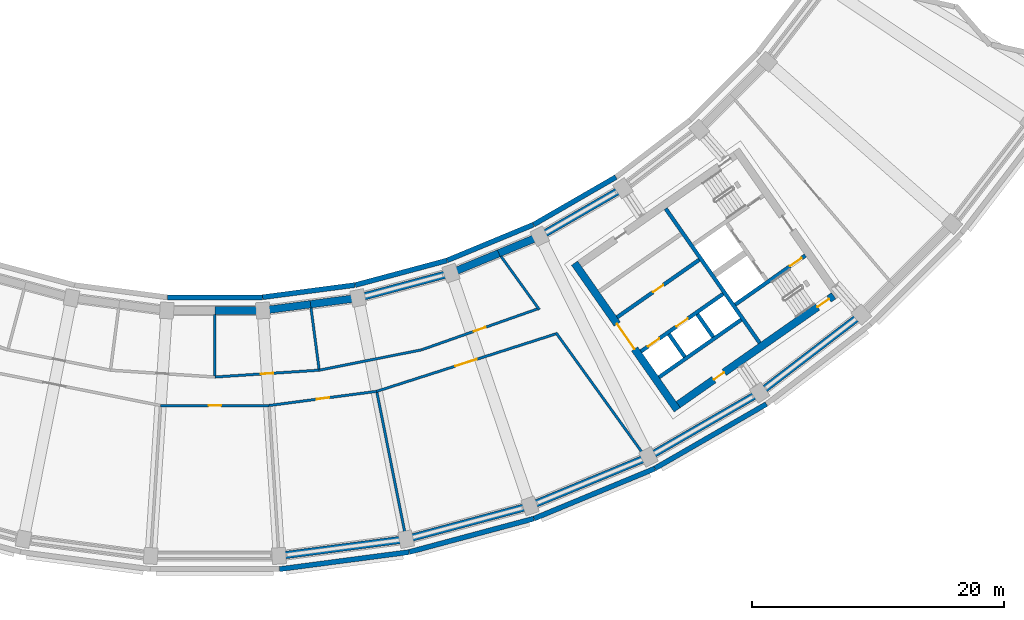
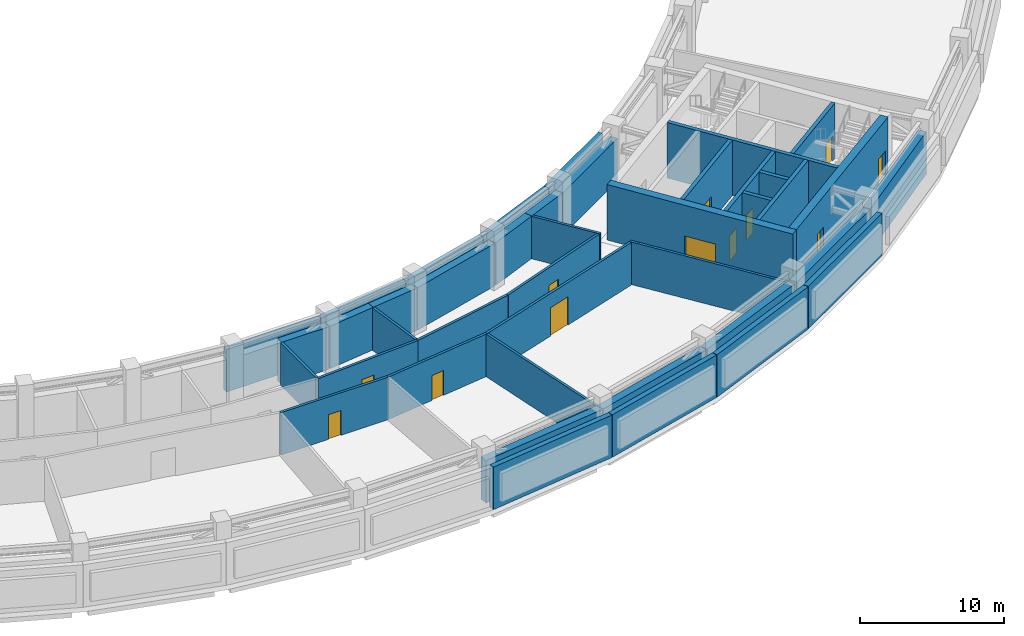
# One storey, part 7 of 24: 41 walls, 12 doors, 12 openings.
"""IFC4 building model written with IfcOpenShell, lengths in metres."""

from ifc_helpers import new_model, si_unit, direction, frame, frame_2d, origin, place, context, subcontext, project, spatial, rectangle, extrude, material, layer, layer_set, type_object, element, fill, save


model = new_model("IFC4")

# Units and contexts
model_context = context("Model", 3, precision=1e-05, world=origin(), true_north=direction((0.0, 1.0)))
body_context = subcontext(model_context, "Body", "Model", "MODEL_VIEW")
ifc_project = project(units=[si_unit("LENGTHUNIT", "METRE"), si_unit("AREAUNIT", "SQUARE_METRE"), si_unit("VOLUMEUNIT", "CUBIC_METRE"), si_unit("PLANEANGLEUNIT", "RADIAN"), si_unit("MASSUNIT", "GRAM", prefix="KILO")], contexts=[model_context])

# Site, building, storey
site_placement = place(None, origin())
site = spatial("IfcSite", under=ifc_project, at=site_placement, CompositionType="ELEMENT")
building_placement = place(site_placement, origin())
building = spatial("IfcBuilding", under=site, at=building_placement, Name="Qamariyya Broadcast Tower", CompositionType="ELEMENT")
storey_placement = place(building_placement, frame((0.0, 0.0, 198.699951171875)))
storey = spatial("IfcBuildingStorey", under=building, at=storey_placement, Name="L47", CompositionType="ELEMENT", Elevation=198.699951171875)

# Wall, opening, door
ifc_material_1 = material(Name="Concrete C60/75", Category="concrete")
ifc_layer_1 = layer(ifc_material_1, 0.60009765625)
ifc_layer_set_1 = layer_set([ifc_layer_1], Name="Core wall 600 mm Concrete C60/75")
wall_type_1 = type_object("IfcWallType", Name="Core wall 600 mm Concrete C60/75", PredefinedType="SHEAR", material=ifc_layer_set_1)
wall_1_placement = place(storey_placement, frame((36.66748046875, -66.005126953125, 0.0), z_axis=(0.0, 0.0, 1.0), x_axis=(-0.573568499524, 0.819157601658, 0.0)))
wall_1 = element("IfcWall", 1, at=wall_1_placement, inside=storey, type_object=wall_type_1, Name="k-E-L47-WA", PredefinedType="SHEAR", context=body_context, shape_type="SweptSolid", body=[
    extrude(rectangle(XDim=14.19970703125, YDim=0.60009765625, at=frame_2d((7.099853515625, 0.0))), origin(), (0.0, 0.0, 1.0), 4.699951171875),
])
opening_1_placement = place(wall_1_placement, frame((5.89990234375, 0.0, 0.0)))
opening_1 = element("IfcOpeningElement", 2, at=opening_1_placement, cuts=wall_1, Name="Opening KD3-E1", PredefinedType="OPENING", context=body_context, shape_type="SweptSolid", body=[
    extrude(rectangle(XDim=2.39990234375, YDim=2.10009765625, at=frame_2d((1.199951171875, 1.050048828125))), frame((0.0, 0.31005859375, 0.0), z_axis=(0.0, -1.0, 0.0), x_axis=(1.0, 0.0, 0.0)), (0.0, 0.0, 1.0), 0.6201171875),
])
ifc_material_2 = material(Name="Steel fire-resisting door leaf", Category="steel")
door_type_1 = type_object("IfcDoorType", Name="Lift lobby door KD3", OperationType="DOUBLE_DOOR_SINGLE_SWING", PredefinedType="DOOR", material=ifc_material_2)
door_1_placement = place(opening_1_placement, origin())
door_1 = element("IfcDoor", 3, at=door_1_placement, inside=storey, type_object=door_type_1, Name="k-E-L47-WA-D1", OperationType="DOUBLE_DOOR_SINGLE_SWING", OverallHeight=2.10009765625, OverallWidth=2.39990234375, PredefinedType="DOOR", context=body_context, shape_type="SweptSolid", body=[
    extrude(rectangle(XDim=2.39990234375, YDim=2.10009765625, at=frame_2d((1.199951171875, 1.050048828125))), frame((0.0, 0.02490234375, 0.0), z_axis=(0.0, -1.0, 0.0), x_axis=(1.0, 0.0, 0.0)), (0.0, 0.0, 1.0), 0.050048828125),
])
fill(opening_1, door_1)

# Wall, openings, doors
wall_2_placement = place(storey_placement, frame((36.7412109375, -65.58740234375, 0.0), z_axis=(0.0, 0.0, 1.0), x_axis=(0.819153391756, 0.573574511963, 0.0)))
wall_2 = element("IfcWall", 4, at=wall_2_placement, inside=storey, type_object=wall_type_1, Name="k-E-L47-WO", PredefinedType="SHEAR", context=body_context, shape_type="SweptSolid", body=[
    extrude(rectangle(XDim=15.04541015625, YDim=0.60009765625, at=frame_2d((7.522705078125, 0.0))), origin(), (0.0, 0.0, 1.0), 4.699951171875),
])
opening_2_placement = place(wall_2_placement, frame((3.449951171875, 0.0, 0.0)))
opening_2 = element("IfcOpeningElement", 5, at=opening_2_placement, cuts=wall_2, Name="Opening KD4-E3", PredefinedType="OPENING", context=body_context, shape_type="SweptSolid", body=[
    extrude(rectangle(XDim=1.0, YDim=2.10009765625, at=frame_2d((0.5, 1.050048828125))), frame((0.0, 0.31005859375, 0.0), z_axis=(0.0, -1.0, 0.0), x_axis=(1.0, 0.0, 0.0)), (0.0, 0.0, 1.0), 0.6201171875),
])
opening_3_placement = place(wall_2_placement, frame((13.495361328125, 0.0, 0.0)))
opening_3 = element("IfcOpeningElement", 6, at=opening_3_placement, cuts=wall_2, Name="Opening KD1-E3", PredefinedType="OPENING", context=body_context, shape_type="SweptSolid", body=[
    extrude(rectangle(XDim=1.10009765625, YDim=2.10009765625, at=frame_2d((0.550048828125, 1.050048828125))), frame((0.0, 0.31005859375, 0.0), z_axis=(0.0, -1.0, 0.0), x_axis=(1.0, 0.0, 0.0)), (0.0, 0.0, 1.0), 0.6201171875),
])
door_type_2 = type_object("IfcDoorType", Name="Riser and plant door KD4", OperationType="SINGLE_SWING_LEFT", PredefinedType="DOOR", material=ifc_material_2)
door_2_placement = place(opening_2_placement, origin())
door_2 = element("IfcDoor", 7, at=door_2_placement, inside=storey, type_object=door_type_2, Name="k-E-L47-WO-D6", OperationType="SINGLE_SWING_RIGHT", OverallHeight=2.10009765625, OverallWidth=1.0, PredefinedType="DOOR", context=body_context, shape_type="SweptSolid", body=[
    extrude(rectangle(XDim=1.0, YDim=2.10009765625, at=frame_2d((0.5, 1.050048828125))), frame((0.0, 0.02490234375, 0.0), z_axis=(0.0, -1.0, 0.0), x_axis=(1.0, 0.0, 0.0)), (0.0, 0.0, 1.0), 0.050048828125),
])
fill(opening_2, door_2)
door_type_3 = type_object("IfcDoorType", Name="Stair door KD1", OperationType="SINGLE_SWING_LEFT", PredefinedType="DOOR", material=ifc_material_2)
door_3_placement = place(opening_3_placement, origin())
door_3 = element("IfcDoor", 8, at=door_3_placement, inside=storey, type_object=door_type_3, Name="k-E-L47-WO-D12", OperationType="SINGLE_SWING_LEFT", OverallHeight=2.10009765625, OverallWidth=1.10009765625, PredefinedType="DOOR", context=body_context, shape_type="SweptSolid", body=[
    extrude(rectangle(XDim=1.10009765625, YDim=2.10009765625, at=frame_2d((0.550048828125, 1.050048828125))), frame((0.0, 0.02490234375, 0.0), z_axis=(0.0, -1.0, 0.0), x_axis=(1.0, 0.0, 0.0)), (0.0, 0.0, 1.0), 0.050048828125),
])
fill(opening_3, door_3)

# Wall
ifc_layer_2 = layer(ifc_material_1, 0.300048828125)
ifc_layer_set_2 = layer_set([ifc_layer_2], Name="Lift shaft wall 300 mm Concrete C60/75")
wall_type_2 = type_object("IfcWallType", Name="Lift shaft wall 300 mm Concrete C60/75", PredefinedType="SOLIDWALL", material=ifc_layer_set_2)
wall_3_placement = place(storey_placement, frame((43.204345703125, -60.69580078125, 0.0), z_axis=(0.0, 0.0, 1.0), x_axis=(-0.573571992966, 0.819155155563, 0.0)))
element("IfcWall", 9, at=wall_3_placement, inside=storey, type_object=wall_type_2, Name="k-E-L47-WL", PredefinedType="SOLIDWALL", context=body_context, shape_type="SweptSolid", body=[
    extrude(rectangle(XDim=13.000244140625, YDim=0.300048828125, at=frame_2d((6.5, 0.0))), origin(), (0.0, 0.0, 1.0), 4.699951171875),
])

# Wall, opening, door
wall_4_placement = place(storey_placement, frame((31.89453125, -58.66552734375, 0.0), z_axis=(0.0, 0.0, 1.0), x_axis=(0.819166993208, 0.573555086491, 0.0)))
wall_4 = element("IfcWall", 10, at=wall_4_placement, inside=storey, type_object=wall_type_2, Name="k-E-L47-NF0", PredefinedType="SOLIDWALL", context=body_context, shape_type="SweptSolid", body=[
    extrude(rectangle(XDim=7.9501953125, YDim=0.300048828125, at=frame_2d((3.97509765625, 0.0))), origin(), (0.0, 0.0, 1.0), 4.699951171875),
])
opening_4_placement = place(wall_4_placement, frame((3.47509765625, 0.0, 0.0)))
opening_4 = element("IfcOpeningElement", 11, at=opening_4_placement, cuts=wall_4, Name="Opening KD4-E1", PredefinedType="OPENING", context=body_context, shape_type="SweptSolid", body=[
    extrude(rectangle(XDim=1.0, YDim=2.10009765625, at=frame_2d((0.5, 1.050048828125))), frame((0.0, 0.159912109375, 0.0), z_axis=(0.0, -1.0, 0.0), x_axis=(1.0, 0.0, 0.0)), (0.0, 0.0, 1.0), 0.320068359375),
])
door_4_placement = place(opening_4_placement, origin())
door_4 = element("IfcDoor", 12, at=door_4_placement, inside=storey, type_object=door_type_2, Name="k-E-L47-NF0-D2", OperationType="SINGLE_SWING_RIGHT", OverallHeight=2.10009765625, OverallWidth=1.0, PredefinedType="DOOR", context=body_context, shape_type="SweptSolid", body=[
    extrude(rectangle(XDim=1.0, YDim=2.10009765625, at=frame_2d((0.5, 1.050048828125))), frame((0.0, 0.02490234375, 0.0), z_axis=(0.0, -1.0, 0.0), x_axis=(1.0, 0.0, 0.0)), (0.0, 0.0, 1.0), 0.050048828125),
])
fill(opening_4, door_4)

# Wall, openings, doors
wall_5_placement = place(storey_placement, frame((33.787353515625, -61.368896484375, 0.0), z_axis=(0.0, 0.0, 1.0), x_axis=(0.819152564888, 0.573575692858, 0.0)))
wall_5 = element("IfcWall", 13, at=wall_5_placement, inside=storey, type_object=wall_type_2, Name="k-E-L47-SF0", PredefinedType="SOLIDWALL", context=body_context, shape_type="SweptSolid", body=[
    extrude(rectangle(XDim=7.9501953125, YDim=0.300048828125, at=frame_2d((3.97509765625, 0.0))), origin(), (0.0, 0.0, 1.0), 4.699951171875),
])
opening_5_placement = place(wall_5_placement, frame((0.675048828125, 0.0, 0.0)))
opening_5 = element("IfcOpeningElement", 14, at=opening_5_placement, cuts=wall_5, Name="Opening LD", PredefinedType="OPENING", context=body_context, shape_type="SweptSolid", body=[
    extrude(rectangle(XDim=1.10009765625, YDim=2.10009765625, at=frame_2d((0.550048828125, 1.050048828125))), frame((0.0, 0.159912109375, 0.0), z_axis=(0.0, -1.0, 0.0), x_axis=(1.0, 0.0, 0.0)), (0.0, 0.0, 1.0), 0.320068359375),
])
opening_6_placement = place(wall_5_placement, frame((3.425048828125, 0.0, 0.0)))
opening_6 = element("IfcOpeningElement", 15, at=opening_6_placement, cuts=wall_5, Name="Opening LD", PredefinedType="OPENING", context=body_context, shape_type="SweptSolid", body=[
    extrude(rectangle(XDim=1.10009765625, YDim=2.10009765625, at=frame_2d((0.550048828125, 1.050048828125))), frame((0.0, 0.159912109375, 0.0), z_axis=(0.0, -1.0, 0.0), x_axis=(1.0, 0.0, 0.0)), (0.0, 0.0, 1.0), 0.320068359375),
])
door_type_4 = type_object("IfcDoorType", Name="Lift landing door LD", OperationType="DOUBLE_DOOR_SLIDING", PredefinedType="DOOR", material=ifc_material_2)
door_5_placement = place(opening_5_placement, origin())
door_5 = element("IfcDoor", 16, at=door_5_placement, inside=storey, type_object=door_type_4, Name="k-E-L47-SF0-D3", OperationType="DOUBLE_DOOR_SLIDING", OverallHeight=2.10009765625, OverallWidth=1.10009765625, PredefinedType="DOOR", context=body_context, shape_type="SweptSolid", body=[
    extrude(rectangle(XDim=1.10009765625, YDim=2.10009765625, at=frame_2d((0.550048828125, 1.050048828125))), frame((0.0, 0.02490234375, 0.0), z_axis=(0.0, -1.0, 0.0), x_axis=(1.0, 0.0, 0.0)), (0.0, 0.0, 1.0), 0.050048828125),
])
fill(opening_5, door_5)
door_6_placement = place(opening_6_placement, origin())
door_6 = element("IfcDoor", 17, at=door_6_placement, inside=storey, type_object=door_type_4, Name="k-E-L47-SF0-D4", OperationType="DOUBLE_DOOR_SLIDING", OverallHeight=2.10009765625, OverallWidth=1.10009765625, PredefinedType="DOOR", context=body_context, shape_type="SweptSolid", body=[
    extrude(rectangle(XDim=1.10009765625, YDim=2.10009765625, at=frame_2d((0.550048828125, 1.050048828125))), frame((0.0, 0.02490234375, 0.0), z_axis=(0.0, -1.0, 0.0), x_axis=(1.0, 0.0, 0.0)), (0.0, 0.0, 1.0), 0.050048828125),
])
fill(opening_6, door_6)

# Walls
wall_6_placement = place(storey_placement, frame((35.22119140625, -63.41650390625, 0.0), z_axis=(0.0, 0.0, 1.0), x_axis=(0.819166993208, 0.573555086491, 0.0)))
element("IfcWall", 18, at=wall_6_placement, inside=storey, type_object=wall_type_2, Name="k-E-L47-SB0", PredefinedType="SOLIDWALL", context=body_context, shape_type="SweptSolid", body=[
    extrude(rectangle(XDim=7.9501953125, YDim=0.300048828125, at=frame_2d((3.97509765625, 0.0))), origin(), (0.0, 0.0, 1.0), 4.699951171875),
])
wall_7_placement = place(storey_placement, frame((36.003173828125, -60.000244140625, 0.0), z_axis=(0.0, 0.0, 1.0), x_axis=(0.573581496053, -0.819148501424, 0.0)))
element("IfcWall", 19, at=wall_7_placement, inside=storey, type_object=wall_type_2, Name="k-E-L47-SD0", PredefinedType="SOLIDWALL", context=body_context, shape_type="SweptSolid", body=[
    extrude(rectangle(XDim=2.2001953125, YDim=0.300048828125, at=frame_2d((1.10009765625, 0.0))), origin(), (0.0, 0.0, 1.0), 4.699951171875),
])
wall_8_placement = place(storey_placement, frame((38.255859375, -58.423095703125, 0.0), z_axis=(0.0, 0.0, 1.0), x_axis=(0.573633636671, -0.819111989218, 0.0)))
element("IfcWall", 20, at=wall_8_placement, inside=storey, type_object=wall_type_2, Name="k-E-L47-SD1", PredefinedType="SOLIDWALL", context=body_context, shape_type="SweptSolid", body=[
    extrude(rectangle(XDim=2.199951171875, YDim=0.300048828125, at=frame_2d((1.10009765625, 0.0))), origin(), (0.0, 0.0, 1.0), 4.699951171875),
])

# Wall, opening, door
wall_9_placement = place(storey_placement, frame((41.262451171875, -57.66064453125, 0.0), z_axis=(0.0, 0.0, 1.0), x_axis=(0.819164398642, 0.573558792102, 0.0)))
wall_9 = element("IfcWall", 21, at=wall_9_placement, inside=storey, type_object=wall_type_2, Name="k-E-L47-SW", PredefinedType="SOLIDWALL", context=body_context, shape_type="SweptSolid", body=[
    extrude(rectangle(XDim=6.795166015625, YDim=0.300048828125, at=frame_2d((3.3974609375, 0.0))), origin(), (0.0, 0.0, 1.0), 4.699951171875),
])
opening_7_placement = place(wall_9_placement, frame((5.3203125, 0.0, 0.0)))
opening_7 = element("IfcOpeningElement", 22, at=opening_7_placement, cuts=wall_9, Name="Opening KD1-E4", PredefinedType="OPENING", context=body_context, shape_type="SweptSolid", body=[
    extrude(rectangle(XDim=1.10009765625, YDim=2.10009765625, at=frame_2d((0.550048828125, 1.050048828125))), frame((0.0, 0.159912109375, 0.0), z_axis=(0.0, -1.0, 0.0), x_axis=(1.0, 0.0, 0.0)), (0.0, 0.0, 1.0), 0.320068359375),
])
door_7_placement = place(opening_7_placement, origin())
door_7 = element("IfcDoor", 23, at=door_7_placement, inside=storey, type_object=door_type_3, Name="k-E-L47-SW-D13", OperationType="SINGLE_SWING_LEFT", OverallHeight=2.10009765625, OverallWidth=1.10009765625, PredefinedType="DOOR", context=body_context, shape_type="SweptSolid", body=[
    extrude(rectangle(XDim=1.10009765625, YDim=2.10009765625, at=frame_2d((0.550048828125, 1.050048828125))), frame((0.0, 0.02490234375, 0.0), z_axis=(0.0, -1.0, 0.0), x_axis=(1.0, 0.0, 0.0)), (0.0, 0.0, 1.0), 0.050048828125),
])
fill(opening_7, door_7)

ifc_material_3 = material(Name="Masonry block wall", Category="masonry")
ifc_layer_3 = layer(ifc_material_3, 0.199951171875)
ifc_layer_set_3 = layer_set([ifc_layer_3], Name="Plant room wall 200 EI 120")
wall_type_3 = type_object("IfcWallType", Name="Plant room wall 200 EI 120", PredefinedType="PARTITIONING", material=ifc_layer_set_3)
wall_10_placement = place(storey_placement, frame((4.303466796875, -65.6591796875, 0.0), z_axis=(0.0, 0.0, 1.0), x_axis=(-1.0, 0.0, 0.0)))
wall_10 = element("IfcWall", 24, at=wall_10_placement, inside=storey, type_object=wall_type_3, Name="Partition L47-033", PredefinedType="PARTITIONING", context=body_context, shape_type="SweptSolid", body=[
    extrude(rectangle(XDim=8.60693359375, YDim=0.199951171875, at=frame_2d((4.303466796875, 0.0))), origin(), (0.0, 0.0, 1.0), 3.60009765625),
])
opening_8_placement = place(wall_10_placement, frame((3.803466796875, 0.0, 0.0)))
opening_8 = element("IfcOpeningElement", 25, at=opening_8_placement, cuts=wall_10, Name="Opening L47-D03", PredefinedType="OPENING", context=body_context, shape_type="SweptSolid", body=[
    extrude(rectangle(XDim=1.0, YDim=2.10009765625, at=frame_2d((0.5, 1.050048828125))), frame((0.0, 0.10986328125, 0.0), z_axis=(0.0, -1.0, 0.0), x_axis=(1.0, 0.0, 0.0)), (0.0, 0.0, 1.0), 0.219970703125),
])
ifc_material_4 = material(Name="Insulated metal door leaf")
door_type_5 = type_object("IfcDoorType", Name="Plant door 1000 x 2100 FD120", OperationType="NOTDEFINED", PredefinedType="DOOR", material=ifc_material_4)
door_8_placement = place(opening_8_placement, origin())
door_8 = element("IfcDoor", 26, at=door_8_placement, inside=storey, type_object=door_type_5, Name="Door L47-D03", OperationType="SINGLE_SWING_RIGHT", OverallHeight=2.10009765625, OverallWidth=1.0, PredefinedType="DOOR", context=body_context, shape_type="SweptSolid", body=[
    extrude(rectangle(XDim=1.0, YDim=2.10009765625, at=frame_2d((0.5, 1.050048828125))), frame((0.0, 0.02490234375, 0.0), z_axis=(0.0, -1.0, 0.0), x_axis=(1.0, 0.0, 0.0)), (0.0, 0.0, 1.0), 0.050048828125),
])
fill(opening_8, door_8)

wall_11_placement = place(storey_placement, frame((0.0, -63.39990234375, 0.0), z_axis=(0.0, 0.0, 1.0), x_axis=(0.997860193426, 0.065383747038, 0.0)))
wall_11 = element("IfcWall", 27, at=wall_11_placement, inside=storey, type_object=wall_type_3, Name="Partition L47-035", PredefinedType="PARTITIONING", context=body_context, shape_type="SweptSolid", body=[
    extrude(rectangle(XDim=8.293212890625, YDim=0.199951171875, at=frame_2d((4.146484375, 0.0))), origin(), (0.0, 0.0, 1.0), 3.60009765625),
])
opening_9_placement = place(wall_11_placement, frame((3.646484375, 0.0, 0.0)))
opening_9 = element("IfcOpeningElement", 28, at=opening_9_placement, cuts=wall_11, Name="Opening L47-D09", PredefinedType="OPENING", context=body_context, shape_type="SweptSolid", body=[
    extrude(rectangle(XDim=1.0, YDim=2.10009765625, at=frame_2d((0.5, 1.050048828125))), frame((0.0, 0.10986328125, 0.0), z_axis=(0.0, -1.0, 0.0), x_axis=(1.0, 0.0, 0.0)), (0.0, 0.0, 1.0), 0.219970703125),
])
door_9_placement = place(opening_9_placement, origin())
door_9 = element("IfcDoor", 29, at=door_9_placement, inside=storey, type_object=door_type_5, Name="Door L47-D09", OperationType="SINGLE_SWING_RIGHT", OverallHeight=2.10009765625, OverallWidth=1.0, PredefinedType="DOOR", context=body_context, shape_type="SweptSolid", body=[
    extrude(rectangle(XDim=1.0, YDim=2.10009765625, at=frame_2d((0.5, 1.050048828125))), frame((0.0, 0.02490234375, 0.0), z_axis=(0.0, -1.0, 0.0), x_axis=(1.0, 0.0, 0.0)), (0.0, 0.0, 1.0), 0.050048828125),
])
fill(opening_9, door_9)

# Wall
wall_12_placement = place(storey_placement, frame((0.0, -58.42529296875, 0.0), z_axis=(0.0, 0.0, 1.0), x_axis=(0.0, -1.0, 0.0)))
element("IfcWall", 30, at=wall_12_placement, inside=storey, type_object=wall_type_3, Name="Partition L47-036", PredefinedType="PARTITIONING", context=body_context, shape_type="SweptSolid", body=[
    extrude(rectangle(XDim=4.874755859375, YDim=0.199951171875, at=frame_2d((2.4375, 0.0))), origin(), (0.0, 0.0, 1.0), 3.60009765625),
])

# Wall, opening, door
wall_13_placement = place(storey_placement, frame((12.8369140625, -64.53564453125, 0.0), z_axis=(0.0, 0.0, 1.0), x_axis=(-0.991443575654, -0.130535957862, 0.0)))
wall_13 = element("IfcWall", 31, at=wall_13_placement, inside=storey, type_object=wall_type_3, Name="Partition L47-039", PredefinedType="PARTITIONING", context=body_context, shape_type="SweptSolid", body=[
    extrude(rectangle(XDim=8.607177734375, YDim=0.199951171875, at=frame_2d((4.3037109375, 0.0))), origin(), (0.0, 0.0, 1.0), 3.60009765625),
])
opening_10_placement = place(wall_13_placement, frame((3.803466796875, 0.0, 0.0)))
opening_10 = element("IfcOpeningElement", 32, at=opening_10_placement, cuts=wall_13, Name="Opening L47-D04", PredefinedType="OPENING", context=body_context, shape_type="SweptSolid", body=[
    extrude(rectangle(XDim=1.0, YDim=2.10009765625, at=frame_2d((0.5, 1.050048828125))), frame((0.0, 0.10986328125, 0.0), z_axis=(0.0, -1.0, 0.0), x_axis=(1.0, 0.0, 0.0)), (0.0, 0.0, 1.0), 0.219970703125),
])
door_10_placement = place(opening_10_placement, origin())
door_10 = element("IfcDoor", 33, at=door_10_placement, inside=storey, type_object=door_type_5, Name="Door L47-D04", OperationType="SINGLE_SWING_RIGHT", OverallHeight=2.10009765625, OverallWidth=1.0, PredefinedType="DOOR", context=body_context, shape_type="SweptSolid", body=[
    extrude(rectangle(XDim=1.0, YDim=2.10009765625, at=frame_2d((0.5, 1.050048828125))), frame((0.0, 0.02490234375, 0.0), z_axis=(0.0, -1.0, 0.0), x_axis=(1.0, 0.0, 0.0)), (0.0, 0.0, 1.0), 0.050048828125),
])
fill(opening_10, door_10)

# Walls
wall_14_placement = place(storey_placement, frame((7.6259765625, -57.925537109375, 0.0), z_axis=(0.0, 0.0, 1.0), x_axis=(0.130516698613, -0.991446111185, 0.0)))
element("IfcWall", 34, at=wall_14_placement, inside=storey, type_object=wall_type_3, Name="Partition L47-042", PredefinedType="PARTITIONING", context=body_context, shape_type="SweptSolid", body=[
    extrude(rectangle(XDim=4.874755859375, YDim=0.199951171875, at=frame_2d((2.4375, 0.0))), origin(), (0.0, 0.0, 1.0), 3.60009765625),
])
wall_15_placement = place(storey_placement, frame((8.275390625, -62.857666015625, 0.0), z_axis=(0.0, 0.0, 1.0), x_axis=(0.980784203322, 0.195095736793, 0.0)))
element("IfcWall", 35, at=wall_15_placement, inside=storey, type_object=wall_type_3, Name="Partition L47-044", PredefinedType="PARTITIONING", context=body_context, shape_type="SweptSolid", body=[
    extrude(rectangle(XDim=8.282958984375, YDim=0.199951171875, at=frame_2d((4.1416015625, 0.0))), origin(), (0.0, 0.0, 1.0), 3.60009765625),
])

# Wall, opening, door
wall_16_placement = place(storey_placement, frame((27.00537109375, -59.990478515625, 0.0), z_axis=(0.0, 0.0, 1.0), x_axis=(-0.952204241506, -0.305462080231, 0.0)))
wall_16 = element("IfcWall", 36, at=wall_16_placement, inside=storey, type_object=wall_type_3, Name="Partition L47-046", PredefinedType="PARTITIONING", context=body_context, shape_type="SweptSolid", body=[
    extrude(rectangle(XDim=14.879638671875, YDim=0.199951171875, at=frame_2d((7.43994140625, 0.0))), origin(), (0.0, 0.0, 1.0), 3.60009765625),
])
opening_11_placement = place(wall_16_placement, frame((6.539794921875, 0.0, 0.0)))
opening_11 = element("IfcOpeningElement", 37, at=opening_11_placement, cuts=wall_16, Name="Opening L47-D05", PredefinedType="OPENING", context=body_context, shape_type="SweptSolid", body=[
    extrude(rectangle(XDim=1.800048828125, YDim=2.39990234375, at=frame_2d((0.89990234375, 1.199951171875))), frame((0.0, 0.10986328125, 0.0), z_axis=(0.0, -1.0, 0.0), x_axis=(1.0, 0.0, 0.0)), (0.0, 0.0, 1.0), 0.219970703125),
])
door_type_6 = type_object("IfcDoorType", Name="Plant double door 1800 x 2400 FD120", OperationType="NOTDEFINED", PredefinedType="DOOR", material=ifc_material_4)
door_11_placement = place(opening_11_placement, origin())
door_11 = element("IfcDoor", 38, at=door_11_placement, inside=storey, type_object=door_type_6, Name="Door L47-D05", OperationType="DOUBLE_DOOR_SINGLE_SWING", OverallHeight=2.39990234375, OverallWidth=1.800048828125, PredefinedType="DOOR", context=body_context, shape_type="SweptSolid", body=[
    extrude(rectangle(XDim=1.800048828125, YDim=2.39990234375, at=frame_2d((0.89990234375, 1.199951171875))), frame((0.0, 0.02490234375, 0.0), z_axis=(0.0, -1.0, 0.0), x_axis=(1.0, 0.0, 0.0)), (0.0, 0.0, 1.0), 0.050048828125),
])
fill(opening_11, door_11)

# Wall
wall_17_placement = place(storey_placement, frame((15.10986328125, -75.9619140625, 0.0), z_axis=(0.0, 0.0, 1.0), x_axis=(-0.195099800341, 0.980783394999, 0.0)))
element("IfcWall", 39, at=wall_17_placement, inside=storey, type_object=wall_type_3, Name="Partition L47-047", PredefinedType="PARTITIONING", context=body_context, shape_type="SweptSolid", body=[
    extrude(rectangle(XDim=11.550048828125, YDim=0.199951171875, at=frame_2d((5.77490234375, 0.0))), origin(), (0.0, 0.0, 1.0), 3.60009765625),
])

# Wall, opening, door
wall_18_placement = place(storey_placement, frame((16.418701171875, -61.236328125, 0.0), z_axis=(0.0, 0.0, 1.0), x_axis=(0.942980121028, 0.332849051892, 0.0)))
wall_18 = element("IfcWall", 40, at=wall_18_placement, inside=storey, type_object=wall_type_3, Name="Partition L47-049", PredefinedType="PARTITIONING", context=body_context, shape_type="SweptSolid", body=[
    extrude(rectangle(XDim=9.7099609375, YDim=0.199951171875, at=frame_2d((4.85498046875, 0.0))), origin(), (0.0, 0.0, 1.0), 3.60009765625),
])
opening_12_placement = place(wall_18_placement, frame((4.35498046875, 0.0, 0.0)))
opening_12 = element("IfcOpeningElement", 41, at=opening_12_placement, cuts=wall_18, Name="Opening L47-D10", PredefinedType="OPENING", context=body_context, shape_type="SweptSolid", body=[
    extrude(rectangle(XDim=1.0, YDim=2.10009765625, at=frame_2d((0.5, 1.050048828125))), frame((0.0, 0.10986328125, 0.0), z_axis=(0.0, -1.0, 0.0), x_axis=(1.0, 0.0, 0.0)), (0.0, 0.0, 1.0), 0.219970703125),
])
door_12_placement = place(opening_12_placement, origin())
door_12 = element("IfcDoor", 42, at=door_12_placement, inside=storey, type_object=door_type_5, Name="Door L47-D10", OperationType="SINGLE_SWING_RIGHT", OverallHeight=2.10009765625, OverallWidth=1.0, PredefinedType="DOOR", context=body_context, shape_type="SweptSolid", body=[
    extrude(rectangle(XDim=1.0, YDim=2.10009765625, at=frame_2d((0.5, 1.050048828125))), frame((0.0, 0.02490234375, 0.0), z_axis=(0.0, -1.0, 0.0), x_axis=(1.0, 0.0, 0.0)), (0.0, 0.0, 1.0), 0.050048828125),
])
fill(opening_12, door_12)

# Walls
wall_19_placement = place(storey_placement, frame((22.68994140625, -53.831787109375, 0.0), z_axis=(0.0, 0.0, 1.0), x_axis=(0.584161242343, -0.811637630315, 0.0)))
element("IfcWall", 43, at=wall_19_placement, inside=storey, type_object=wall_type_3, Name="Partition L47-051", PredefinedType="PARTITIONING", context=body_context, shape_type="SweptSolid", body=[
    extrude(rectangle(XDim=5.199951171875, YDim=0.199951171875, at=frame_2d((2.60009765625, 0.0))), origin(), (0.0, 0.0, 1.0), 3.60009765625),
])
wall_20_placement = place(storey_placement, frame((27.042236328125, -59.878662109375, 0.0), z_axis=(0.0, 0.0, 1.0), x_axis=(0.584170590376, -0.811630902159, 0.0)))
element("IfcWall", 44, at=wall_20_placement, inside=storey, type_object=wall_type_3, Name="Partition L47-055", PredefinedType="PARTITIONING", context=body_context, shape_type="SweptSolid", body=[
    extrude(rectangle(XDim=11.939697265625, YDim=0.199951171875, at=frame_2d((5.9697265625, 0.0))), origin(), (0.0, 0.0, 1.0), 3.60009765625),
])
ifc_material_5 = material(Name="Terracotta", Category="masonry")
ifc_layer_4 = layer(ifc_material_5, 0.39990234375)
ifc_layer_set_4 = layer_set([ifc_layer_4], Name="Terracotta clad plant wall 400")
wall_type_4 = type_object("IfcWallType", Name="Terracotta clad plant wall 400", PredefinedType="SOLIDWALL", material=ifc_layer_set_4)
wall_21_placement = place(storey_placement, frame((25.252197265625, -51.32080078125, 0.0), z_axis=(0.0, 0.0, 1.0), x_axis=(-0.923867659443, -0.382712095229, 0.0)))
element("IfcWall", 45, at=wall_21_placement, inside=storey, type_object=wall_type_4, Name="e-wl-L47-in100", PredefinedType="SOLIDWALL", context=body_context, shape_type="SweptSolid", body=[
    extrude(rectangle(XDim=7.380859375, YDim=0.39990234375, at=frame_2d((3.6904296875, 0.0))), origin(), (0.0, 0.0, 1.0), 3.60009765625),
])
for number, where, z_axis, x_axis, name in (
    (46, (31.800537109375, -47.5478515625, 0.0), (0.0, 0.0, 1.0), (-0.866028517328, -0.499994607145, 0.0), "e-wl-L47-in110"),
    (47, (3.76611328125, -57.077880859375, 0.0), (0.0, 0.0, 1.0), (-1.0, 0.0, 0.0), "e-wl-L47-in70"),
):
    element("IfcWall", number, at=place(storey_placement, frame(where, z_axis=z_axis, x_axis=x_axis)), inside=storey, type_object=wall_type_4, Name=name, PredefinedType="SOLIDWALL", context=body_context, shape_type="SweptSolid", body=[
        extrude(rectangle(XDim=7.5322265625, YDim=0.39990234375, at=frame_2d((3.76611328125, 0.0))), origin(), (0.0, 0.0, 1.0), 3.60009765625),
    ])
wall_22_placement = place(storey_placement, frame((11.10888671875, -56.10791015625, 0.0), z_axis=(0.0, 0.0, 1.0), x_axis=(-0.99144438474, -0.130529812564, 0.0)))
element("IfcWall", 48, at=wall_22_placement, inside=storey, type_object=wall_type_4, Name="e-wl-L47-in80", PredefinedType="SOLIDWALL", context=body_context, shape_type="SweptSolid", body=[
    extrude(rectangle(XDim=7.380615234375, YDim=0.39990234375, at=frame_2d((3.6904296875, 0.0))), origin(), (0.0, 0.0, 1.0), 3.60009765625),
])
wall_23_placement = place(storey_placement, frame((18.41064453125, -54.158447265625, 0.0), z_axis=(0.0, 0.0, 1.0), x_axis=(-0.965927073219, -0.258814391452, 0.0)))
element("IfcWall", 49, at=wall_23_placement, inside=storey, type_object=wall_type_4, Name="e-wl-L47-in90", PredefinedType="SOLIDWALL", context=body_context, shape_type="SweptSolid", body=[
    extrude(rectangle(XDim=7.5322265625, YDim=0.39990234375, at=frame_2d((3.76611328125, 0.0))), origin(), (0.0, 0.0, 1.0), 3.60009765625),
])
wall_24_placement = place(storey_placement, frame((25.30615234375, -74.627197265625, 0.0), z_axis=(0.0, 0.0, 1.0), x_axis=(0.923880370694, 0.382681408808, 0.0)))
element("IfcWall", 50, at=wall_24_placement, inside=storey, type_object=wall_type_4, Name="e-wl-L47-out100", PredefinedType="SOLIDWALL", context=body_context, shape_type="SweptSolid", body=[
    extrude(rectangle(XDim=10.357421875, YDim=0.39990234375, at=frame_2d((5.1787109375, 0.0))), origin(), (0.0, 0.0, 1.0), 3.60009765625),
])
wall_25_placement = place(storey_placement, frame((34.89599609375, -70.647705078125, 0.0), z_axis=(0.0, 0.0, 1.0), x_axis=(0.866039792397, 0.499975077364, 0.0)))
element("IfcWall", 51, at=wall_25_placement, inside=storey, type_object=wall_type_4, Name="e-wl-L47-out110", PredefinedType="SOLIDWALL", context=body_context, shape_type="SweptSolid", body=[
    extrude(rectangle(XDim=10.2060546875, YDim=0.39990234375, at=frame_2d((5.10302734375, 0.0))), origin(), (0.0, 0.0, 1.0), 3.60009765625),
])
wall_26_placement = place(storey_placement, frame((5.12890625, -78.634033203125, 0.0), z_axis=(0.0, 0.0, 1.0), x_axis=(0.991446190382, 0.130516097005, 0.0)))
element("IfcWall", 52, at=wall_26_placement, inside=storey, type_object=wall_type_4, Name="e-wl-L47-out80", PredefinedType="SOLIDWALL", context=body_context, shape_type="SweptSolid", body=[
    extrude(rectangle(XDim=10.357421875, YDim=0.39990234375, at=frame_2d((5.1787109375, 0.0))), origin(), (0.0, 0.0, 1.0), 3.60009765625),
])
wall_27_placement = place(storey_placement, frame((15.422119140625, -77.272216796875, 0.0), z_axis=(0.0, 0.0, 1.0), x_axis=(0.965928938661, 0.258807429292, 0.0)))
element("IfcWall", 53, at=wall_27_placement, inside=storey, type_object=wall_type_4, Name="e-wl-L47-out90", PredefinedType="SOLIDWALL", context=body_context, shape_type="SweptSolid", body=[
    extrude(rectangle(XDim=10.205810546875, YDim=0.39990234375, at=frame_2d((5.10302734375, 0.0))), origin(), (0.0, 0.0, 1.0), 3.60009765625),
])
ifc_layer_5 = layer(ifc_material_3, 0.60009765625)
ifc_layer_set_5 = layer_set([ifc_layer_5], Name="Truss casing wall 600 EI 120")
wall_type_5 = type_object("IfcWallType", Name="Truss casing wall 600 EI 120", PredefinedType="PARTITIONING", material=ifc_layer_set_5)
for number, where, z_axis, x_axis, name in (
    (54, (0.0, -58.125244140625, 0.0), (0.0, 0.0, 1.0), (1.0, 0.0, 0.0), "Partition L47-037"),
    (55, (3.832275390625, -58.122314453125, 0.0), (0.0, 0.0, 1.0), (0.991442222886, 0.130546231962, 0.0), "Partition L47-038"),
):
    element("IfcWall", number, at=place(storey_placement, frame(where, z_axis=z_axis, x_axis=x_axis)), inside=storey, type_object=wall_type_5, Name=name, PredefinedType="PARTITIONING", context=body_context, shape_type="SweptSolid", body=[
        extrude(rectangle(XDim=3.787109375, YDim=0.60009765625, at=frame_2d((1.8935546875, 0.0))), origin(), (0.0, 0.0, 1.0), 3.60009765625),
    ])
wall_28_placement = place(storey_placement, frame((5.085205078125, -77.58349609375, 0.0), z_axis=(0.0, 0.0, 1.0), x_axis=(0.99144563226, 0.130520336625, 0.0)))
element("IfcWall", 56, at=wall_28_placement, inside=storey, type_object=wall_type_5, Name="Partition L47-041", PredefinedType="PARTITIONING", context=body_context, shape_type="SweptSolid", body=[
    extrude(rectangle(XDim=10.169921875, YDim=0.60009765625, at=frame_2d((5.0849609375, 0.0))), origin(), (0.0, 0.0, 1.0), 3.60009765625),
])
wall_29_placement = place(storey_placement, frame((7.5869140625, -57.6279296875, 0.0), z_axis=(0.0, 0.0, 1.0), x_axis=(0.991450564869, 0.130482862559, 0.0)))
element("IfcWall", 57, at=wall_29_placement, inside=storey, type_object=wall_type_5, Name="Partition L47-043", PredefinedType="PARTITIONING", context=body_context, shape_type="SweptSolid", body=[
    extrude(rectangle(XDim=3.787109375, YDim=0.60009765625, at=frame_2d((1.8935546875, 0.0))), origin(), (0.0, 0.0, 1.0), 3.60009765625),
])
wall_30_placement = place(storey_placement, frame((11.385986328125, -57.124755859375, 0.0), z_axis=(0.0, 0.0, 1.0), x_axis=(0.965928771626, 0.258808052706, 0.0)))
element("IfcWall", 58, at=wall_30_placement, inside=storey, type_object=wall_type_5, Name="Partition L47-045", PredefinedType="PARTITIONING", context=body_context, shape_type="SweptSolid", body=[
    extrude(rectangle(XDim=7.573974609375, YDim=0.60009765625, at=frame_2d((3.787109375, 0.0))), origin(), (0.0, 0.0, 1.0), 3.60009765625),
])
wall_31_placement = place(storey_placement, frame((15.168212890625, -76.256103515625, 0.0), z_axis=(0.0, 0.0, 1.0), x_axis=(0.965923565769, 0.258827481333, 0.0)))
element("IfcWall", 59, at=wall_31_placement, inside=storey, type_object=wall_type_5, Name="Partition L47-048", PredefinedType="PARTITIONING", context=body_context, shape_type="SweptSolid", body=[
    extrude(rectangle(XDim=10.1474609375, YDim=0.60009765625, at=frame_2d((5.07373046875, 0.0))), origin(), (0.0, 0.0, 1.0), 3.60009765625),
])
wall_32_placement = place(storey_placement, frame((18.744873046875, -55.14990234375, 0.0), z_axis=(0.0, 0.0, 1.0), x_axis=(0.923885578529, 0.382668835661, 0.0)))
element("IfcWall", 60, at=wall_32_placement, inside=storey, type_object=wall_type_5, Name="Partition L47-050", PredefinedType="PARTITIONING", context=body_context, shape_type="SweptSolid", body=[
    extrude(rectangle(XDim=4.08056640625, YDim=0.60009765625, at=frame_2d((2.040283203125, 0.0))), origin(), (0.0, 0.0, 1.0), 3.60009765625),
])
wall_33_placement = place(storey_placement, frame((22.514892578125, -53.58837890625, 0.0), z_axis=(0.0, 0.0, 1.0), x_axis=(0.923877143095, 0.382689200876, 0.0)))
element("IfcWall", 61, at=wall_33_placement, inside=storey, type_object=wall_type_5, Name="Partition L47-052", PredefinedType="PARTITIONING", context=body_context, shape_type="SweptSolid", body=[
    extrude(rectangle(XDim=3.493408203125, YDim=0.60009765625, at=frame_2d((1.74658203125, 0.0))), origin(), (0.0, 0.0, 1.0), 3.60009765625),
])
wall_34_placement = place(storey_placement, frame((25.012939453125, -73.615234375, 0.0), z_axis=(0.0, 0.0, 1.0), x_axis=(0.923876070589, 0.382691790078, 0.0)))
element("IfcWall", 62, at=wall_34_placement, inside=storey, type_object=wall_type_5, Name="Partition L47-053", PredefinedType="PARTITIONING", context=body_context, shape_type="SweptSolid", body=[
    extrude(rectangle(XDim=9.935546875, YDim=0.60009765625, at=frame_2d((4.9677734375, 0.0))), origin(), (0.0, 0.0, 1.0), 3.60009765625),
])
wall_35_placement = place(storey_placement, frame((25.782958984375, -52.2314453125, 0.0), z_axis=(0.0, 0.0, 1.0), x_axis=(0.866020793316, 0.500007985481, 0.0)))
element("IfcWall", 63, at=wall_35_placement, inside=storey, type_object=wall_type_5, Name="Partition L47-054", PredefinedType="PARTITIONING", context=body_context, shape_type="SweptSolid", body=[
    extrude(rectangle(XDim=7.57421875, YDim=0.60009765625, at=frame_2d((3.787109375, 0.0))), origin(), (0.0, 0.0, 1.0), 3.60009765625),
])
for number, where, z_axis, x_axis, name in (
    (64, (34.407470703125, -69.720458984375, 0.0), (0.0, 0.0, 1.0), (0.866037016931, 0.4999798849, 0.0), "Partition L47-057"),
    (65, (43.213623046875, -64.633056640625, 0.0), (0.0, 0.0, 1.0), (0.793339659144, 0.608779258212, 0.0), "Partition L47-061"),
):
    element("IfcWall", number, at=place(storey_placement, frame(where, z_axis=z_axis, x_axis=x_axis)), inside=storey, type_object=wall_type_5, Name=name, PredefinedType="PARTITIONING", context=body_context, shape_type="SweptSolid", body=[
        extrude(rectangle(XDim=10.125, YDim=0.60009765625, at=frame_2d((5.0625, 0.0))), origin(), (0.0, 0.0, 1.0), 3.60009765625),
    ])

save(model, "model.ifc")
